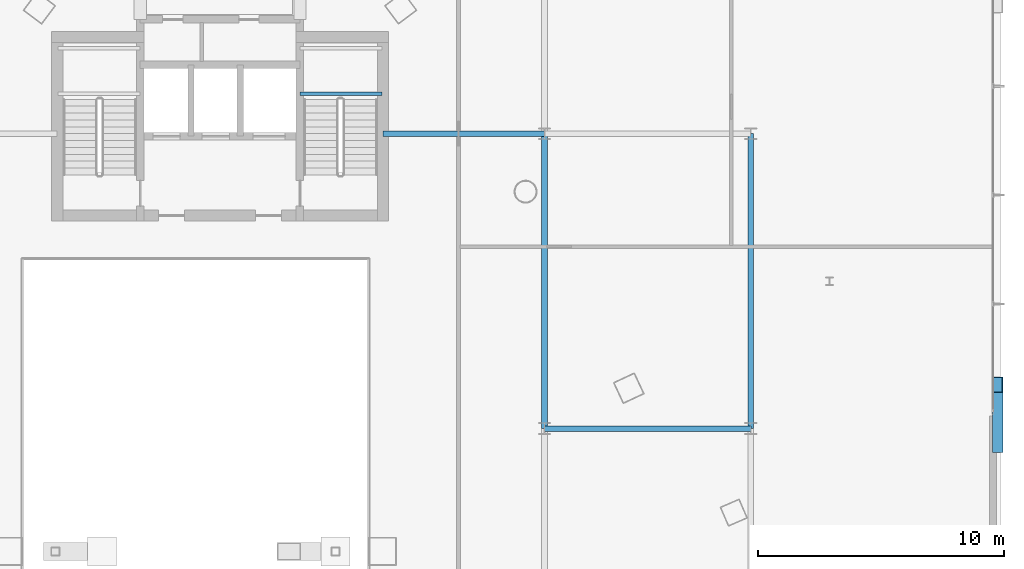
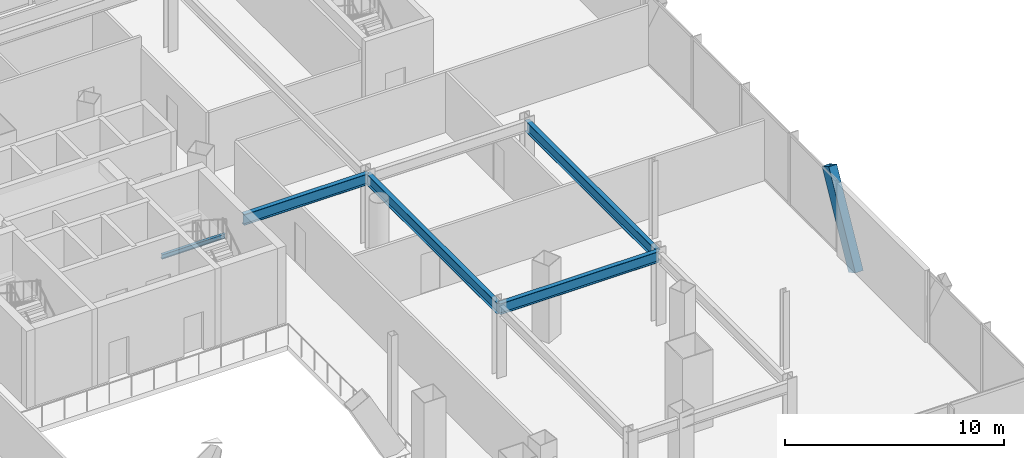
# One storey, part 19 of 42: 5 beams, 1 member.
"""IFC4 building model written with IfcOpenShell, lengths in metres."""

from ifc_helpers import new_model, si_unit, direction, frame, origin, origin_2d, place, context, subcontext, project, spatial, hollow_rectangle, i_section, extrude, material, material_profile, profile_set, type_object, element, save


model = new_model("IFC4")

# Units and contexts
model_context = context("Model", 3, precision=1e-05, world=origin(), true_north=direction((0.0, 1.0)))
body_context = subcontext(model_context, "Body", "Model", "MODEL_VIEW")
ifc_project = project(units=[si_unit("LENGTHUNIT", "METRE"), si_unit("AREAUNIT", "SQUARE_METRE"), si_unit("VOLUMEUNIT", "CUBIC_METRE"), si_unit("PLANEANGLEUNIT", "RADIAN"), si_unit("MASSUNIT", "GRAM", prefix="KILO")], contexts=[model_context])

# Site, building, storey
site_placement = place(None, origin())
site = spatial("IfcSite", under=ifc_project, at=site_placement, CompositionType="ELEMENT")
building_placement = place(site_placement, origin())
building = spatial("IfcBuilding", under=site, at=building_placement, Name="Orvanel Arch Residences", CompositionType="ELEMENT")
storey_placement = place(building_placement, frame((0.0, 0.0, 5.5)))
storey = spatial("IfcBuildingStorey", under=building, at=storey_placement, Name="L01", CompositionType="ELEMENT", Elevation=5.5)

# Beams
ifc_material_1 = material(Name="Structural steel AS/NZS 3679.1 Grade 300 (300 MPa)", Category="steel")
ifc_material_profile_1 = material_profile(ifc_material_1, i_section(OverallWidth=0.22900390625, OverallDepth=0.612060546875, WebThickness=0.011962890625, FlangeThickness=0.01953125, at=origin_2d()), Name="610UB125")
ifc_profile_set_1 = profile_set([ifc_material_profile_1], Name="Structural steel AS/NZS 3679.1 Grade 300 (300 MPa)")
beam_type_1 = type_object("IfcBeamType", Name="BG-610UB", PredefinedType="BEAM", material=ifc_profile_set_1)
beam_1_placement = place(storey_placement, frame((46.199951171875, 18.0, 3.714111328125), z_axis=(1.0, 0.0, 0.0), x_axis=(0.0, 1.0, 0.0)))
element("IfcBeam", 1, at=beam_1_placement, inside=storey, type_object=beam_type_1, Name="L01 BG-610UB beam", PredefinedType="BEAM", context=body_context, shape_type="SweptSolid", body=[
    extrude(i_section(OverallWidth=0.22900390625, OverallDepth=0.612060546875, WebThickness=0.011962890625, FlangeThickness=0.01953125, at=origin_2d()), origin(), (0.0, 0.0, 1.0), 8.400146484375),
])
beam_2_placement = place(storey_placement, frame((39.625, 30.0, 3.714111328125), z_axis=(1.0, 0.0, 0.0), x_axis=(0.0, 1.0, 0.0)))
element("IfcBeam", 2, at=beam_2_placement, inside=storey, type_object=beam_type_1, Name="L01 BG-610UB beam", PredefinedType="BEAM", context=body_context, shape_type="SweptSolid", body=[
    extrude(i_section(OverallWidth=0.22900390625, OverallDepth=0.612060546875, WebThickness=0.011962890625, FlangeThickness=0.01953125, at=origin_2d()), origin(), (0.0, 0.0, 1.0), 6.574951171875),
])
for number, where, z_axis, x_axis, name in (
    (3, (46.199951171875, 18.0, 3.714111328125), (0.0, 1.0, 0.0), (-1.0, 0.0, 0.0), "L01 North-South Podium Girder XE46-M"),
    (4, (54.60009765625, 18.0, 3.714111328125), (0.0, 1.0, 0.0), (-1.0, 0.0, 0.0), "L01 North-South Podium Girder XE55-M"),
):
    element("IfcBeam", number, at=place(storey_placement, frame(where, z_axis=z_axis, x_axis=x_axis)), inside=storey, type_object=beam_type_1, Name=name, PredefinedType="BEAM", context=body_context, shape_type="SweptSolid", body=[
        extrude(i_section(OverallWidth=0.22900390625, OverallDepth=0.612060546875, WebThickness=0.011962890625, FlangeThickness=0.01953125, at=origin_2d()), origin(), (0.0, 0.0, 1.0), 12.0),
    ])
ifc_material_profile_2 = material_profile(ifc_material_1, i_section(OverallWidth=0.14599609375, OverallDepth=0.251953125, WebThickness=0.006103515625, FlangeThickness=0.008544921875, at=origin_2d()), Name="250UB31.4")
ifc_profile_set_2 = profile_set([ifc_material_profile_2], Name="Structural steel AS/NZS 3679.1 Grade 300 (300 MPa)")
beam_type_2 = type_object("IfcBeamType", Name="BJ-250UB", PredefinedType="JOIST", material=ifc_profile_set_2)
beam_3_placement = place(storey_placement, frame((36.25, 31.6201171875, 1.823974609375), z_axis=(1.0, 0.0, 0.0), x_axis=(0.0, 1.0, 0.0)))
element("IfcBeam", 5, at=beam_3_placement, inside=storey, type_object=beam_type_2, Name="L01 ST-2 Half-Landing Support Beam 1.1", PredefinedType="JOIST", context=body_context, shape_type="SweptSolid", body=[
    extrude(i_section(OverallWidth=0.14599609375, OverallDepth=0.251953125, WebThickness=0.006103515625, FlangeThickness=0.008544921875, at=origin_2d()), origin(), (0.0, 0.0, 1.0), 3.35009765625),
])

# Member
ifc_material_2 = material(Name="Structural steel AS/NZS 3678 Grade 350", Category="steel")
ifc_material_profile_3 = material_profile(ifc_material_2, hollow_rectangle(XDim=0.419921875, YDim=0.719970703125, WallThickness=0.02490234375, at=origin_2d()), Name="RHS720x420x25")
ifc_profile_set_3 = profile_set([ifc_material_profile_3], Name="Structural steel AS/NZS 3678 Grade 350")
member_type = type_object("IfcMemberType", Name="BR-720RHS-EXT", PredefinedType="BRACE", material=ifc_profile_set_3)
member_placement = place(storey_placement, frame((64.639892578125, 17.345947265625, -0.300048828125), z_axis=(0.0, 0.480038670678, 0.877247328097), x_axis=(-1.0, 0.0, 0.0)))
element("IfcMember", 6, at=member_placement, inside=storey, type_object=member_type, Name="L01 Podium Multi-Storey V-Strut Pair E1 Leg 2", PredefinedType="BRACE", context=body_context, shape_type="SweptSolid", body=[
    extrude(hollow_rectangle(XDim=0.419921875, YDim=0.719970703125, WallThickness=0.02490234375, at=origin_2d()), origin(), (0.0, 0.0, 1.0), 5.072509765625),
])

save(model, "model.ifc")
